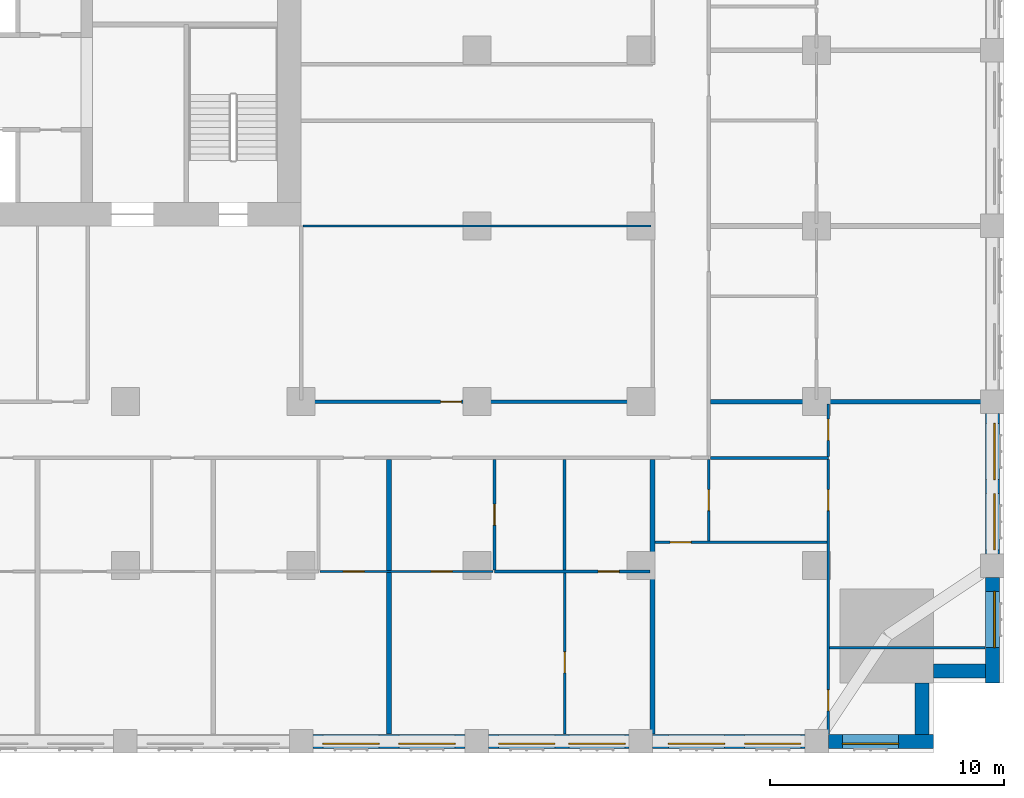
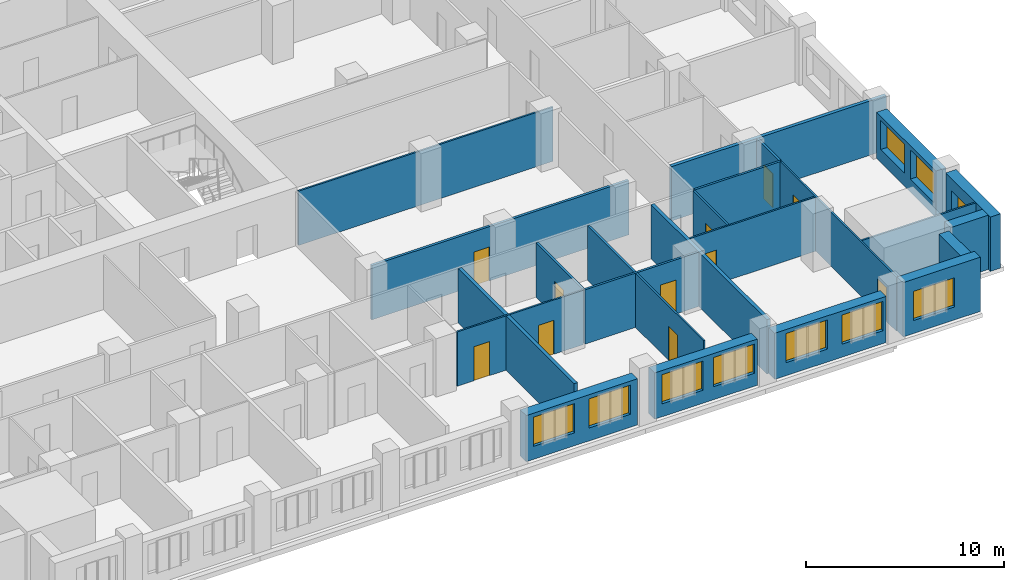
# One storey, part 6 of 14: 24 walls, 11 doors, 10 windows, 21 openings.
"""IFC4 building model written with IfcOpenShell, lengths in metres."""

from ifc_helpers import new_model, si_unit, direction, frame, frame_2d, origin, place, context, subcontext, project, spatial, rectangle, extrude, material, layer, layer_set, type_object, element, fill, save


model = new_model("IFC4")

# Units and contexts
model_context = context("Model", 3, precision=1e-05, world=origin(), true_north=direction((0.0, 1.0)))
body_context = subcontext(model_context, "Body", "Model", "MODEL_VIEW")
ifc_project = project(units=[si_unit("LENGTHUNIT", "METRE"), si_unit("AREAUNIT", "SQUARE_METRE"), si_unit("VOLUMEUNIT", "CUBIC_METRE"), si_unit("PLANEANGLEUNIT", "RADIAN"), si_unit("MASSUNIT", "GRAM", prefix="KILO")], contexts=[model_context])

# Site, building, storey
site_placement = place(None, origin())
site = spatial("IfcSite", under=ifc_project, at=site_placement, CompositionType="ELEMENT")
building_placement = place(site_placement, origin())
building = spatial("IfcBuilding", under=site, at=building_placement, Name="Tamorin Gate", CompositionType="ELEMENT")
storey_placement = place(building_placement, frame((0.0, 0.0, 37.60009765625)))
storey = spatial("IfcBuildingStorey", under=building, at=storey_placement, Name="L07", CompositionType="ELEMENT", Elevation=37.60009765625)

# Wall, openings, windows
ifc_material_1 = material(Name="Precast concrete C40/50", Category="concrete")
ifc_layer_1 = layer(ifc_material_1, 0.60009765625)
ifc_layer_set_1 = layer_set([ifc_layer_1], Name="Precast concrete C40/50")
wall_type_1 = type_object("IfcWallType", Name="Board-marked concrete facade panel 600", PredefinedType="SOLIDWALL", material=ifc_layer_set_1)
wall_1_placement = place(storey_placement, frame((60.5, 38.0, 0.0), z_axis=(0.0, 0.0, 1.0), x_axis=(1.0, 0.0, 0.0)))
wall_1 = element("IfcWall", 1, at=wall_1_placement, inside=storey, type_object=wall_type_1, Name="Facade panel", PredefinedType="SOLIDWALL", context=body_context, shape_type="SweptSolid", body=[
    extrude(rectangle(XDim=6.5, YDim=0.60009765625, at=frame_2d((3.25, 0.0))), origin(), (0.0, 0.0, 1.0), 2.849853515625),
])
opening_1_placement = place(wall_1_placement, frame((0.425048828125, 0.0, 0.800048828125)))
opening_1 = element("IfcOpeningElement", 2, at=opening_1_placement, cuts=wall_1, Name="Opening WN1", PredefinedType="OPENING", context=body_context, shape_type="SweptSolid", body=[
    extrude(rectangle(XDim=2.39990234375, YDim=1.800048828125, at=frame_2d((1.199951171875, 0.89990234375))), frame((0.0, 0.31005859375, 0.0), z_axis=(0.0, -1.0, 0.0), x_axis=(1.0, 0.0, 0.0)), (0.0, 0.0, 1.0), 0.6201171875),
])
opening_2_placement = place(wall_1_placement, frame((3.675048828125, 0.0, 0.800048828125)))
opening_2 = element("IfcOpeningElement", 3, at=opening_2_placement, cuts=wall_1, Name="Opening WN1", PredefinedType="OPENING", context=body_context, shape_type="SweptSolid", body=[
    extrude(rectangle(XDim=2.39990234375, YDim=1.800048828125, at=frame_2d((1.199951171875, 0.89990234375))), frame((0.0, 0.31005859375, 0.0), z_axis=(0.0, -1.0, 0.0), x_axis=(1.0, 0.0, 0.0)), (0.0, 0.0, 1.0), 0.6201171875),
])
ifc_material_2 = material(Name="Clear glass in aluminium frame", Category="aluminium")
window_type = type_object("IfcWindowType", Name="Deep-set window 2400x1800", PartitioningType="SINGLE_PANEL", PredefinedType="WINDOW", material=ifc_material_2)
window_1_placement = place(opening_1_placement, origin())
window_1 = element("IfcWindow", 4, at=window_1_placement, inside=storey, type_object=window_type, Name="Deep-set window", OverallHeight=1.800048828125, OverallWidth=2.39990234375, PartitioningType="SINGLE_PANEL", PredefinedType="WINDOW", context=body_context, shape_type="SweptSolid", body=[
    extrude(rectangle(XDim=2.39990234375, YDim=1.800048828125, at=frame_2d((1.199951171875, 0.89990234375))), frame((0.0, -0.070068359375, 0.0), z_axis=(0.0, -1.0, 0.0), x_axis=(1.0, 0.0, 0.0)), (0.0, 0.0, 1.0), 0.06005859375),
])
fill(opening_1, window_1)
window_2_placement = place(opening_2_placement, origin())
window_2 = element("IfcWindow", 5, at=window_2_placement, inside=storey, type_object=window_type, Name="Deep-set window", OverallHeight=1.800048828125, OverallWidth=2.39990234375, PartitioningType="SINGLE_PANEL", PredefinedType="WINDOW", context=body_context, shape_type="SweptSolid", body=[
    extrude(rectangle(XDim=2.39990234375, YDim=1.800048828125, at=frame_2d((1.199951171875, 0.89990234375))), frame((0.0, -0.070068359375, 0.0), z_axis=(0.0, -1.0, 0.0), x_axis=(1.0, 0.0, 0.0)), (0.0, 0.0, 1.0), 0.06005859375),
])
fill(opening_2, window_2)

wall_2_placement = place(storey_placement, frame((68.0, 38.0, 0.0), z_axis=(0.0, 0.0, 1.0), x_axis=(1.0, 0.0, 0.0)))
wall_2 = element("IfcWall", 6, at=wall_2_placement, inside=storey, type_object=wall_type_1, Name="Facade panel", PredefinedType="SOLIDWALL", context=body_context, shape_type="SweptSolid", body=[
    extrude(rectangle(XDim=6.0, YDim=0.60009765625, at=frame_2d((3.0, 0.0))), origin(), (0.0, 0.0, 1.0), 2.849853515625),
])
opening_3_placement = place(wall_2_placement, frame((0.425048828125, 0.0, 0.800048828125)))
opening_3 = element("IfcOpeningElement", 7, at=opening_3_placement, cuts=wall_2, Name="Opening WN1", PredefinedType="OPENING", context=body_context, shape_type="SweptSolid", body=[
    extrude(rectangle(XDim=2.39990234375, YDim=1.800048828125, at=frame_2d((1.199951171875, 0.89990234375))), frame((0.0, 0.31005859375, 0.0), z_axis=(0.0, -1.0, 0.0), x_axis=(1.0, 0.0, 0.0)), (0.0, 0.0, 1.0), 0.6201171875),
])
opening_4_placement = place(wall_2_placement, frame((3.425048828125, 0.0, 0.800048828125)))
opening_4 = element("IfcOpeningElement", 8, at=opening_4_placement, cuts=wall_2, Name="Opening WN1", PredefinedType="OPENING", context=body_context, shape_type="SweptSolid", body=[
    extrude(rectangle(XDim=2.39990234375, YDim=1.800048828125, at=frame_2d((1.199951171875, 0.89990234375))), frame((0.0, 0.31005859375, 0.0), z_axis=(0.0, -1.0, 0.0), x_axis=(1.0, 0.0, 0.0)), (0.0, 0.0, 1.0), 0.6201171875),
])
window_3_placement = place(opening_3_placement, origin())
window_3 = element("IfcWindow", 9, at=window_3_placement, inside=storey, type_object=window_type, Name="Deep-set window", OverallHeight=1.800048828125, OverallWidth=2.39990234375, PartitioningType="SINGLE_PANEL", PredefinedType="WINDOW", context=body_context, shape_type="SweptSolid", body=[
    extrude(rectangle(XDim=2.39990234375, YDim=1.800048828125, at=frame_2d((1.199951171875, 0.89990234375))), frame((0.0, -0.070068359375, 0.0), z_axis=(0.0, -1.0, 0.0), x_axis=(1.0, 0.0, 0.0)), (0.0, 0.0, 1.0), 0.06005859375),
])
fill(opening_3, window_3)
window_4_placement = place(opening_4_placement, origin())
window_4 = element("IfcWindow", 10, at=window_4_placement, inside=storey, type_object=window_type, Name="Deep-set window", OverallHeight=1.800048828125, OverallWidth=2.39990234375, PartitioningType="SINGLE_PANEL", PredefinedType="WINDOW", context=body_context, shape_type="SweptSolid", body=[
    extrude(rectangle(XDim=2.39990234375, YDim=1.800048828125, at=frame_2d((1.199951171875, 0.89990234375))), frame((0.0, -0.070068359375, 0.0), z_axis=(0.0, -1.0, 0.0), x_axis=(1.0, 0.0, 0.0)), (0.0, 0.0, 1.0), 0.06005859375),
])
fill(opening_4, window_4)

wall_3_placement = place(storey_placement, frame((75.0, 38.0, 0.0), z_axis=(0.0, 0.0, 1.0), x_axis=(1.0, 0.0, 0.0)))
wall_3 = element("IfcWall", 11, at=wall_3_placement, inside=storey, type_object=wall_type_1, Name="Facade panel", PredefinedType="SOLIDWALL", context=body_context, shape_type="SweptSolid", body=[
    extrude(rectangle(XDim=6.5, YDim=0.60009765625, at=frame_2d((3.25, 0.0))), origin(), (0.0, 0.0, 1.0), 2.849853515625),
])
opening_5_placement = place(wall_3_placement, frame((0.675048828125, 0.0, 0.800048828125)))
opening_5 = element("IfcOpeningElement", 12, at=opening_5_placement, cuts=wall_3, Name="Opening WN1", PredefinedType="OPENING", context=body_context, shape_type="SweptSolid", body=[
    extrude(rectangle(XDim=2.39990234375, YDim=1.800048828125, at=frame_2d((1.199951171875, 0.89990234375))), frame((0.0, 0.31005859375, 0.0), z_axis=(0.0, -1.0, 0.0), x_axis=(1.0, 0.0, 0.0)), (0.0, 0.0, 1.0), 0.6201171875),
])
opening_6_placement = place(wall_3_placement, frame((3.925048828125, 0.0, 0.800048828125)))
opening_6 = element("IfcOpeningElement", 13, at=opening_6_placement, cuts=wall_3, Name="Opening WN1", PredefinedType="OPENING", context=body_context, shape_type="SweptSolid", body=[
    extrude(rectangle(XDim=2.39990234375, YDim=1.800048828125, at=frame_2d((1.199951171875, 0.89990234375))), frame((0.0, 0.31005859375, 0.0), z_axis=(0.0, -1.0, 0.0), x_axis=(1.0, 0.0, 0.0)), (0.0, 0.0, 1.0), 0.6201171875),
])
window_5_placement = place(opening_5_placement, origin())
window_5 = element("IfcWindow", 14, at=window_5_placement, inside=storey, type_object=window_type, Name="Deep-set window", OverallHeight=1.800048828125, OverallWidth=2.39990234375, PartitioningType="SINGLE_PANEL", PredefinedType="WINDOW", context=body_context, shape_type="SweptSolid", body=[
    extrude(rectangle(XDim=2.39990234375, YDim=1.800048828125, at=frame_2d((1.199951171875, 0.89990234375))), frame((0.0, -0.070068359375, 0.0), z_axis=(0.0, -1.0, 0.0), x_axis=(1.0, 0.0, 0.0)), (0.0, 0.0, 1.0), 0.06005859375),
])
fill(opening_5, window_5)
window_6_placement = place(opening_6_placement, origin())
window_6 = element("IfcWindow", 15, at=window_6_placement, inside=storey, type_object=window_type, Name="Deep-set window", OverallHeight=1.800048828125, OverallWidth=2.39990234375, PartitioningType="SINGLE_PANEL", PredefinedType="WINDOW", context=body_context, shape_type="SweptSolid", body=[
    extrude(rectangle(XDim=2.39990234375, YDim=1.800048828125, at=frame_2d((1.199951171875, 0.89990234375))), frame((0.0, -0.070068359375, 0.0), z_axis=(0.0, -1.0, 0.0), x_axis=(1.0, 0.0, 0.0)), (0.0, 0.0, 1.0), 0.06005859375),
])
fill(opening_6, window_6)

# Wall, opening, window
wall_4_placement = place(storey_placement, frame((82.5, 38.0, 0.0), z_axis=(0.0, 0.0, 1.0), x_axis=(1.0, 0.0, 0.0)))
wall_4 = element("IfcWall", 16, at=wall_4_placement, inside=storey, type_object=wall_type_1, Name="Facade panel", PredefinedType="SOLIDWALL", context=body_context, shape_type="SweptSolid", body=[
    extrude(rectangle(XDim=4.5, YDim=0.60009765625, at=frame_2d((2.25, 0.0))), origin(), (0.0, 0.0, 1.0), 3.349853515625),
])
opening_7_placement = place(wall_4_placement, frame((0.60009765625, 0.0, 0.800048828125)))
opening_7 = element("IfcOpeningElement", 17, at=opening_7_placement, cuts=wall_4, Name="Opening WN1", PredefinedType="OPENING", context=body_context, shape_type="SweptSolid", body=[
    extrude(rectangle(XDim=2.39990234375, YDim=1.800048828125, at=frame_2d((1.199951171875, 0.89990234375))), frame((0.0, 0.31005859375, 0.0), z_axis=(0.0, -1.0, 0.0), x_axis=(1.0, 0.0, 0.0)), (0.0, 0.0, 1.0), 0.6201171875),
])
window_7_placement = place(opening_7_placement, origin())
window_7 = element("IfcWindow", 18, at=window_7_placement, inside=storey, type_object=window_type, Name="Deep-set window", OverallHeight=1.800048828125, OverallWidth=2.39990234375, PartitioningType="SINGLE_PANEL", PredefinedType="WINDOW", context=body_context, shape_type="SweptSolid", body=[
    extrude(rectangle(XDim=2.39990234375, YDim=1.800048828125, at=frame_2d((1.199951171875, 0.89990234375))), frame((0.0, -0.070068359375, 0.0), z_axis=(0.0, -1.0, 0.0), x_axis=(1.0, 0.0, 0.0)), (0.0, 0.0, 1.0), 0.06005859375),
])
fill(opening_7, window_7)

# Walls
for number, where, z_axis, x_axis, name in (
    (19, (86.5, 38.300048828125, 0.0), (0.0, 0.0, 1.0), (0.0, 1.0, 0.0), "Facade panel"),
    (20, (87.0, 41.0, 0.0), (0.0, 0.0, 1.0), (1.0, 0.0, 0.0), "Facade panel"),
):
    element("IfcWall", number, at=place(storey_placement, frame(where, z_axis=z_axis, x_axis=x_axis)), inside=storey, type_object=wall_type_1, Name=name, PredefinedType="SOLIDWALL", context=body_context, shape_type="SweptSolid", body=[
        extrude(rectangle(XDim=2.199951171875, YDim=0.60009765625, at=frame_2d((1.10009765625, 0.0))), origin(), (0.0, 0.0, 1.0), 3.349853515625),
    ])

# Wall, opening, window
wall_5_placement = place(storey_placement, frame((89.5, 40.5, 0.0), z_axis=(0.0, 0.0, 1.0), x_axis=(0.0, 1.0, 0.0)))
wall_5 = element("IfcWall", 21, at=wall_5_placement, inside=storey, type_object=wall_type_1, Name="Facade panel", PredefinedType="SOLIDWALL", context=body_context, shape_type="SweptSolid", body=[
    extrude(rectangle(XDim=4.5, YDim=0.60009765625, at=frame_2d((2.25, 0.0))), origin(), (0.0, 0.0, 1.0), 3.349853515625),
])
opening_8_placement = place(wall_5_placement, frame((1.5, 0.0, 0.800048828125)))
opening_8 = element("IfcOpeningElement", 22, at=opening_8_placement, cuts=wall_5, Name="Opening WN1", PredefinedType="OPENING", context=body_context, shape_type="SweptSolid", body=[
    extrude(rectangle(XDim=2.39990234375, YDim=1.800048828125, at=frame_2d((1.199951171875, 0.89990234375))), frame((0.0, 0.31005859375, 0.0), z_axis=(0.0, -1.0, 0.0), x_axis=(1.0, 0.0, 0.0)), (0.0, 0.0, 1.0), 0.6201171875),
])
window_8_placement = place(opening_8_placement, origin())
window_8 = element("IfcWindow", 23, at=window_8_placement, inside=storey, type_object=window_type, Name="Deep-set window", OverallHeight=1.800048828125, OverallWidth=2.39990234375, PartitioningType="SINGLE_PANEL", PredefinedType="WINDOW", context=body_context, shape_type="SweptSolid", body=[
    extrude(rectangle(XDim=2.39990234375, YDim=1.800048828125, at=frame_2d((1.199951171875, 0.89990234375))), frame((0.0, -0.070068359375, 0.0), z_axis=(0.0, -1.0, 0.0), x_axis=(1.0, 0.0, 0.0)), (0.0, 0.0, 1.0), 0.06005859375),
])
fill(opening_8, window_8)

# Wall, openings, windows
wall_6_placement = place(storey_placement, frame((89.5, 46.0, 0.0), z_axis=(0.0, 0.0, 1.0), x_axis=(0.0, 1.0, 0.0)))
wall_6 = element("IfcWall", 24, at=wall_6_placement, inside=storey, type_object=wall_type_1, Name="Facade panel", PredefinedType="SOLIDWALL", context=body_context, shape_type="SweptSolid", body=[
    extrude(rectangle(XDim=6.0, YDim=0.60009765625, at=frame_2d((3.0, 0.0))), origin(), (0.0, 0.0, 1.0), 2.849853515625),
])
opening_9_placement = place(wall_6_placement, frame((0.175048828125, 0.0, 0.800048828125)))
opening_9 = element("IfcOpeningElement", 25, at=opening_9_placement, cuts=wall_6, Name="Opening WN1", PredefinedType="OPENING", context=body_context, shape_type="SweptSolid", body=[
    extrude(rectangle(XDim=2.39990234375, YDim=1.800048828125, at=frame_2d((1.199951171875, 0.89990234375))), frame((0.0, 0.31005859375, 0.0), z_axis=(0.0, -1.0, 0.0), x_axis=(1.0, 0.0, 0.0)), (0.0, 0.0, 1.0), 0.6201171875),
])
opening_10_placement = place(wall_6_placement, frame((3.175048828125, 0.0, 0.800048828125)))
opening_10 = element("IfcOpeningElement", 26, at=opening_10_placement, cuts=wall_6, Name="Opening WN1", PredefinedType="OPENING", context=body_context, shape_type="SweptSolid", body=[
    extrude(rectangle(XDim=2.39990234375, YDim=1.800048828125, at=frame_2d((1.199951171875, 0.89990234375))), frame((0.0, 0.31005859375, 0.0), z_axis=(0.0, -1.0, 0.0), x_axis=(1.0, 0.0, 0.0)), (0.0, 0.0, 1.0), 0.6201171875),
])
window_9_placement = place(opening_9_placement, origin())
window_9 = element("IfcWindow", 27, at=window_9_placement, inside=storey, type_object=window_type, Name="Deep-set window", OverallHeight=1.800048828125, OverallWidth=2.39990234375, PartitioningType="SINGLE_PANEL", PredefinedType="WINDOW", context=body_context, shape_type="SweptSolid", body=[
    extrude(rectangle(XDim=2.39990234375, YDim=1.800048828125, at=frame_2d((1.199951171875, 0.89990234375))), frame((0.0, -0.070068359375, 0.0), z_axis=(0.0, -1.0, 0.0), x_axis=(1.0, 0.0, 0.0)), (0.0, 0.0, 1.0), 0.06005859375),
])
fill(opening_9, window_9)
window_10_placement = place(opening_10_placement, origin())
window_10 = element("IfcWindow", 28, at=window_10_placement, inside=storey, type_object=window_type, Name="Deep-set window", OverallHeight=1.800048828125, OverallWidth=2.39990234375, PartitioningType="SINGLE_PANEL", PredefinedType="WINDOW", context=body_context, shape_type="SweptSolid", body=[
    extrude(rectangle(XDim=2.39990234375, YDim=1.800048828125, at=frame_2d((1.199951171875, 0.89990234375))), frame((0.0, -0.070068359375, 0.0), z_axis=(0.0, -1.0, 0.0), x_axis=(1.0, 0.0, 0.0)), (0.0, 0.0, 1.0), 0.06005859375),
])
fill(opening_10, window_10)

# Wall, opening, door
ifc_material_3 = material(Name="Gypsum board partition")
ifc_layer_2 = layer(ifc_material_3, 0.14990234375)
ifc_layer_set_2 = layer_set([ifc_layer_2], Name="Corridor wall 150")
wall_type_2 = type_object("IfcWallType", Name="Corridor wall 150", PredefinedType="PARTITIONING", material=ifc_layer_set_2)
wall_7_placement = place(storey_placement, frame((60.0, 52.5, 0.0), z_axis=(0.0, 0.0, 1.0), x_axis=(1.0, 0.0, 0.0)))
wall_7 = element("IfcWall", 29, at=wall_7_placement, inside=storey, type_object=wall_type_2, Name="Corridor wall 150", PredefinedType="PARTITIONING", context=body_context, shape_type="SweptSolid", body=[
    extrude(rectangle(XDim=15.0, YDim=0.14990234375, at=frame_2d((7.5, 0.0))), origin(), (0.0, 0.0, 1.0), 3.349853515625),
])
opening_11_placement = place(wall_7_placement, frame((5.949951171875, 0.0, 0.0)))
opening_11 = element("IfcOpeningElement", 30, at=opening_11_placement, cuts=wall_7, Name="Opening DH2069", PredefinedType="OPENING", context=body_context, shape_type="SweptSolid", body=[
    extrude(rectangle(XDim=0.89990234375, YDim=2.10009765625, at=frame_2d((0.449951171875, 1.050048828125))), frame((0.0, 0.0849609375, 0.0), z_axis=(0.0, -1.0, 0.0), x_axis=(1.0, 0.0, 0.0)), (0.0, 0.0, 1.0), 0.169921875),
])
ifc_material_4 = material(Name="Timber door leaf", Category="wood")
door_type_1 = type_object("IfcDoorType", Name="Door 900 x 2100 FD30S", OperationType="NOTDEFINED", PredefinedType="DOOR", material=ifc_material_4)
door_1_placement = place(opening_11_placement, origin())
door_1 = element("IfcDoor", 31, at=door_1_placement, inside=storey, type_object=door_type_1, Name="Door DH2069", OperationType="SINGLE_SWING_LEFT", OverallHeight=2.10009765625, OverallWidth=0.89990234375, PredefinedType="DOOR", context=body_context, shape_type="SweptSolid", body=[
    extrude(rectangle(XDim=0.89990234375, YDim=2.10009765625, at=frame_2d((0.449951171875, 1.050048828125))), frame((0.0, 0.02490234375, 0.0), z_axis=(0.0, -1.0, 0.0), x_axis=(1.0, 0.0, 0.0)), (0.0, 0.0, 1.0), 0.050048828125),
])
fill(opening_11, door_1)

# Walls
ifc_layer_3 = layer(ifc_material_3, 0.199951171875)
ifc_layer_set_3 = layer_set([ifc_layer_3], Name="Demising wall 200")
wall_type_3 = type_object("IfcWallType", Name="Demising wall 200", PredefinedType="PARTITIONING", material=ifc_layer_set_3)
wall_8_placement = place(storey_placement, frame((77.47509765625, 52.5, 0.0), z_axis=(0.0, 0.0, 1.0), x_axis=(1.0, 0.0, 0.0)))
element("IfcWall", 32, at=wall_8_placement, inside=storey, type_object=wall_type_3, Name="Demising wall 200", PredefinedType="PARTITIONING", context=body_context, shape_type="SweptSolid", body=[
    extrude(rectangle(XDim=12.52490234375, YDim=0.199951171875, at=frame_2d((6.262451171875, 0.0))), origin(), (0.0, 0.0, 1.0), 3.349853515625),
])
for number, where, z_axis, x_axis, name in (
    (33, (63.75, 38.31005859375, 0.0), (0.0, 0.0, 1.0), (0.0, 1.0, 0.0), "Demising wall 200"),
    (34, (75.0, 38.31005859375, 0.0), (0.0, 0.0, 1.0), (0.0, 1.0, 0.0), "Demising wall 200"),
):
    element("IfcWall", number, at=place(storey_placement, frame(where, z_axis=z_axis, x_axis=x_axis)), inside=storey, type_object=wall_type_3, Name=name, PredefinedType="PARTITIONING", context=body_context, shape_type="SweptSolid", body=[
        extrude(rectangle(XDim=11.71484375, YDim=0.199951171875, at=frame_2d((5.857421875, 0.0))), origin(), (0.0, 0.0, 1.0), 3.349853515625),
    ])
ifc_layer_4 = layer(ifc_material_3, 0.10009765625)
ifc_layer_set_4 = layer_set([ifc_layer_4], Name="Room partition 100")
wall_type_4 = type_object("IfcWallType", Name="Room partition 100", PredefinedType="PARTITIONING", material=ifc_layer_set_4)
wall_9_placement = place(storey_placement, frame((82.550048828125, 42.0, 0.0), z_axis=(0.0, 0.0, 1.0), x_axis=(1.0, 0.0, 0.0)))
element("IfcWall", 35, at=wall_9_placement, inside=storey, type_object=wall_type_4, Name="Room partition 100", PredefinedType="PARTITIONING", context=body_context, shape_type="SweptSolid", body=[
    extrude(rectangle(XDim=6.639892578125, YDim=0.10009765625, at=frame_2d((3.31982421875, 0.0))), origin(), (0.0, 0.0, 1.0), 3.349853515625),
])

# Wall, openings, doors
wall_10_placement = place(storey_placement, frame((60.8125, 45.25, 0.0), z_axis=(0.0, 0.0, 1.0), x_axis=(1.0, 0.0, 0.0)))
wall_10 = element("IfcWall", 36, at=wall_10_placement, inside=storey, type_object=wall_type_4, Name="Room partition 100", PredefinedType="PARTITIONING", context=body_context, shape_type="SweptSolid", body=[
    extrude(rectangle(XDim=7.375, YDim=0.10009765625, at=frame_2d((3.6875, 0.0))), origin(), (0.0, 0.0, 1.0), 3.349853515625),
])
opening_12_placement = place(wall_10_placement, frame((0.987548828125, 0.0, 0.0)))
opening_12 = element("IfcOpeningElement", 37, at=opening_12_placement, cuts=wall_10, Name="Opening DH2013", PredefinedType="OPENING", context=body_context, shape_type="SweptSolid", body=[
    extrude(rectangle(XDim=0.89990234375, YDim=2.10009765625, at=frame_2d((0.449951171875, 1.050048828125))), frame((0.0, 0.06005859375, 0.0), z_axis=(0.0, -1.0, 0.0), x_axis=(1.0, 0.0, 0.0)), (0.0, 0.0, 1.0), 0.1201171875),
])
opening_13_placement = place(wall_10_placement, frame((4.737548828125, 0.0, 0.0)))
opening_13 = element("IfcOpeningElement", 38, at=opening_13_placement, cuts=wall_10, Name="Opening DH2015", PredefinedType="OPENING", context=body_context, shape_type="SweptSolid", body=[
    extrude(rectangle(XDim=0.89990234375, YDim=2.10009765625, at=frame_2d((0.449951171875, 1.050048828125))), frame((0.0, 0.06005859375, 0.0), z_axis=(0.0, -1.0, 0.0), x_axis=(1.0, 0.0, 0.0)), (0.0, 0.0, 1.0), 0.1201171875),
])
door_type_2 = type_object("IfcDoorType", Name="Door 900 x 2100", OperationType="NOTDEFINED", PredefinedType="DOOR", material=ifc_material_4)
door_2_placement = place(opening_12_placement, origin())
door_2 = element("IfcDoor", 39, at=door_2_placement, inside=storey, type_object=door_type_2, Name="Door DH2013", OperationType="SINGLE_SWING_LEFT", OverallHeight=2.10009765625, OverallWidth=0.89990234375, PredefinedType="DOOR", context=body_context, shape_type="SweptSolid", body=[
    extrude(rectangle(XDim=0.89990234375, YDim=2.10009765625, at=frame_2d((0.449951171875, 1.050048828125))), frame((0.0, 0.02490234375, 0.0), z_axis=(0.0, -1.0, 0.0), x_axis=(1.0, 0.0, 0.0)), (0.0, 0.0, 1.0), 0.050048828125),
])
fill(opening_12, door_2)
door_3_placement = place(opening_13_placement, origin())
door_3 = element("IfcDoor", 40, at=door_3_placement, inside=storey, type_object=door_type_2, Name="Door DH2015", OperationType="SINGLE_SWING_LEFT", OverallHeight=2.10009765625, OverallWidth=0.89990234375, PredefinedType="DOOR", context=body_context, shape_type="SweptSolid", body=[
    extrude(rectangle(XDim=0.89990234375, YDim=2.10009765625, at=frame_2d((0.449951171875, 1.050048828125))), frame((0.0, 0.02490234375, 0.0), z_axis=(0.0, -1.0, 0.0), x_axis=(1.0, 0.0, 0.0)), (0.0, 0.0, 1.0), 0.050048828125),
])
fill(opening_13, door_3)

# Wall, opening, door
wall_11_placement = place(storey_placement, frame((75.10009765625, 46.5, 0.0), z_axis=(0.0, 0.0, 1.0), x_axis=(1.0, 0.0, 0.0)))
wall_11 = element("IfcWall", 41, at=wall_11_placement, inside=storey, type_object=wall_type_4, Name="Room partition 100", PredefinedType="PARTITIONING", context=body_context, shape_type="SweptSolid", body=[
    extrude(rectangle(XDim=7.349853515625, YDim=0.10009765625, at=frame_2d((3.6748046875, 0.0))), origin(), (0.0, 0.0, 1.0), 3.349853515625),
])
opening_14_placement = place(wall_11_placement, frame((0.64990234375, 0.0, 0.0)))
opening_14 = element("IfcOpeningElement", 42, at=opening_14_placement, cuts=wall_11, Name="Opening DH2056", PredefinedType="OPENING", context=body_context, shape_type="SweptSolid", body=[
    extrude(rectangle(XDim=0.89990234375, YDim=2.10009765625, at=frame_2d((0.449951171875, 1.050048828125))), frame((0.0, 0.06005859375, 0.0), z_axis=(0.0, -1.0, 0.0), x_axis=(1.0, 0.0, 0.0)), (0.0, 0.0, 1.0), 0.1201171875),
])
door_4_placement = place(opening_14_placement, origin())
door_4 = element("IfcDoor", 43, at=door_4_placement, inside=storey, type_object=door_type_2, Name="Door DH2056", OperationType="SINGLE_SWING_RIGHT", OverallHeight=2.10009765625, OverallWidth=0.89990234375, PredefinedType="DOOR", context=body_context, shape_type="SweptSolid", body=[
    extrude(rectangle(XDim=0.89990234375, YDim=2.10009765625, at=frame_2d((0.449951171875, 1.050048828125))), frame((0.0, 0.02490234375, 0.0), z_axis=(0.0, -1.0, 0.0), x_axis=(1.0, 0.0, 0.0)), (0.0, 0.0, 1.0), 0.050048828125),
])
fill(opening_14, door_4)

# Wall
wall_12_placement = place(storey_placement, frame((60.074951171875, 60.0, 0.0), z_axis=(0.0, 0.0, 1.0), x_axis=(1.0, 0.0, 0.0)))
element("IfcWall", 44, at=wall_12_placement, inside=storey, type_object=wall_type_4, Name="Room partition 100", PredefinedType="PARTITIONING", context=body_context, shape_type="SweptSolid", body=[
    extrude(rectangle(XDim=14.85009765625, YDim=0.10009765625, at=frame_2d((7.425048828125, 0.0))), origin(), (0.0, 0.0, 1.0), 3.349853515625),
])

# Wall, opening, door
wall_13_placement = place(storey_placement, frame((71.25, 38.31005859375, 0.0), z_axis=(0.0, 0.0, 1.0), x_axis=(0.0, 1.0, 0.0)))
wall_13 = element("IfcWall", 45, at=wall_13_placement, inside=storey, type_object=wall_type_4, Name="Room partition 100", PredefinedType="PARTITIONING", context=body_context, shape_type="SweptSolid", body=[
    extrude(rectangle(XDim=6.87744140625, YDim=0.10009765625, at=frame_2d((3.438720703125, 0.0))), origin(), (0.0, 0.0, 1.0), 3.349853515625),
])
opening_15_placement = place(wall_13_placement, frame((2.614990234375, 0.0, 0.0)))
opening_15 = element("IfcOpeningElement", 46, at=opening_15_placement, cuts=wall_13, Name="Opening DH2018", PredefinedType="OPENING", context=body_context, shape_type="SweptSolid", body=[
    extrude(rectangle(XDim=0.89990234375, YDim=2.10009765625, at=frame_2d((0.449951171875, 1.050048828125))), frame((0.0, 0.06005859375, 0.0), z_axis=(0.0, -1.0, 0.0), x_axis=(1.0, 0.0, 0.0)), (0.0, 0.0, 1.0), 0.1201171875),
])
door_5_placement = place(opening_15_placement, origin())
door_5 = element("IfcDoor", 47, at=door_5_placement, inside=storey, type_object=door_type_2, Name="Door DH2018", OperationType="SINGLE_SWING_LEFT", OverallHeight=2.10009765625, OverallWidth=0.89990234375, PredefinedType="DOOR", context=body_context, shape_type="SweptSolid", body=[
    extrude(rectangle(XDim=0.89990234375, YDim=2.10009765625, at=frame_2d((0.449951171875, 1.050048828125))), frame((0.0, 0.02490234375, 0.0), z_axis=(0.0, -1.0, 0.0), x_axis=(1.0, 0.0, 0.0)), (0.0, 0.0, 1.0), 0.050048828125),
])
fill(opening_15, door_5)

wall_14_placement = place(storey_placement, frame((77.39990234375, 46.550048828125, 0.0), z_axis=(0.0, 0.0, 1.0), x_axis=(0.0, 1.0, 0.0)))
wall_14 = element("IfcWall", 48, at=wall_14_placement, inside=storey, type_object=wall_type_4, Name="Room partition 100", PredefinedType="PARTITIONING", context=body_context, shape_type="SweptSolid", body=[
    extrude(rectangle(XDim=3.474853515625, YDim=0.10009765625, at=frame_2d((1.7373046875, 0.0))), origin(), (0.0, 0.0, 1.0), 3.349853515625),
])
opening_16_placement = place(wall_14_placement, frame((1.300048828125, 0.0, 0.0)))
opening_16 = element("IfcOpeningElement", 49, at=opening_16_placement, cuts=wall_14, Name="Opening DH2057", PredefinedType="OPENING", context=body_context, shape_type="SweptSolid", body=[
    extrude(rectangle(XDim=0.89990234375, YDim=2.10009765625, at=frame_2d((0.449951171875, 1.050048828125))), frame((0.0, 0.06005859375, 0.0), z_axis=(0.0, -1.0, 0.0), x_axis=(1.0, 0.0, 0.0)), (0.0, 0.0, 1.0), 0.1201171875),
])
door_6_placement = place(opening_16_placement, origin())
door_6 = element("IfcDoor", 50, at=door_6_placement, inside=storey, type_object=door_type_2, Name="Door DH2057", OperationType="SINGLE_SWING_RIGHT", OverallHeight=2.10009765625, OverallWidth=0.89990234375, PredefinedType="DOOR", context=body_context, shape_type="SweptSolid", body=[
    extrude(rectangle(XDim=0.89990234375, YDim=2.10009765625, at=frame_2d((0.449951171875, 1.050048828125))), frame((0.0, 0.02490234375, 0.0), z_axis=(0.0, -1.0, 0.0), x_axis=(1.0, 0.0, 0.0)), (0.0, 0.0, 1.0), 0.050048828125),
])
fill(opening_16, door_6)

# Wall, openings, doors
wall_15_placement = place(storey_placement, frame((82.5, 38.31005859375, 0.0), z_axis=(0.0, 0.0, 1.0), x_axis=(0.0, 1.0, 0.0)))
wall_15 = element("IfcWall", 51, at=wall_15_placement, inside=storey, type_object=wall_type_4, Name="Room partition 100", PredefinedType="PARTITIONING", context=body_context, shape_type="SweptSolid", body=[
    extrude(rectangle(XDim=11.7275390625, YDim=0.10009765625, at=frame_2d((5.86376953125, 0.0))), origin(), (0.0, 0.0, 1.0), 3.349853515625),
])
opening_17_placement = place(wall_15_placement, frame((0.989990234375, 0.0, 0.0)))
opening_17 = element("IfcOpeningElement", 52, at=opening_17_placement, cuts=wall_15, Name="Opening DH2058", PredefinedType="OPENING", context=body_context, shape_type="SweptSolid", body=[
    extrude(rectangle(XDim=0.89990234375, YDim=2.10009765625, at=frame_2d((0.449951171875, 1.050048828125))), frame((0.0, 0.06005859375, 0.0), z_axis=(0.0, -1.0, 0.0), x_axis=(1.0, 0.0, 0.0)), (0.0, 0.0, 1.0), 0.1201171875),
])
opening_18_placement = place(wall_15_placement, frame((9.5400390625, 0.0, 0.0)))
opening_18 = element("IfcOpeningElement", 53, at=opening_18_placement, cuts=wall_15, Name="Opening DH2059", PredefinedType="OPENING", context=body_context, shape_type="SweptSolid", body=[
    extrude(rectangle(XDim=0.89990234375, YDim=2.10009765625, at=frame_2d((0.449951171875, 1.050048828125))), frame((0.0, 0.06005859375, 0.0), z_axis=(0.0, -1.0, 0.0), x_axis=(1.0, 0.0, 0.0)), (0.0, 0.0, 1.0), 0.1201171875),
])
door_7_placement = place(opening_17_placement, origin())
door_7 = element("IfcDoor", 54, at=door_7_placement, inside=storey, type_object=door_type_2, Name="Door DH2058", OperationType="SINGLE_SWING_LEFT", OverallHeight=2.10009765625, OverallWidth=0.89990234375, PredefinedType="DOOR", context=body_context, shape_type="SweptSolid", body=[
    extrude(rectangle(XDim=0.89990234375, YDim=2.10009765625, at=frame_2d((0.449951171875, 1.050048828125))), frame((0.0, 0.02490234375, 0.0), z_axis=(0.0, -1.0, 0.0), x_axis=(1.0, 0.0, 0.0)), (0.0, 0.0, 1.0), 0.050048828125),
])
fill(opening_17, door_7)
door_8_placement = place(opening_18_placement, origin())
door_8 = element("IfcDoor", 55, at=door_8_placement, inside=storey, type_object=door_type_2, Name="Door DH2059", OperationType="SINGLE_SWING_RIGHT", OverallHeight=2.10009765625, OverallWidth=0.89990234375, PredefinedType="DOOR", context=body_context, shape_type="SweptSolid", body=[
    extrude(rectangle(XDim=0.89990234375, YDim=2.10009765625, at=frame_2d((0.449951171875, 1.050048828125))), frame((0.0, 0.02490234375, 0.0), z_axis=(0.0, -1.0, 0.0), x_axis=(1.0, 0.0, 0.0)), (0.0, 0.0, 1.0), 0.050048828125),
])
fill(opening_18, door_8)

# Wall, opening, door
ifc_layer_5 = layer(ifc_material_3, 0.125)
ifc_layer_set_5 = layer_set([ifc_layer_5], Name="Wet wall 125")
wall_type_5 = type_object("IfcWallType", Name="Wet wall 125", PredefinedType="PARTITIONING", material=ifc_layer_set_5)
wall_16_placement = place(storey_placement, frame((68.25, 45.25, 0.0), z_axis=(0.0, 0.0, 1.0), x_axis=(1.0, 0.0, 0.0)))
wall_16 = element("IfcWall", 56, at=wall_16_placement, inside=storey, type_object=wall_type_5, Name="Wet wall 125", PredefinedType="PARTITIONING", context=body_context, shape_type="SweptSolid", body=[
    extrude(rectangle(XDim=6.64990234375, YDim=0.125, at=frame_2d((3.324951171875, 0.0))), origin(), (0.0, 0.0, 1.0), 3.349853515625),
])
opening_19_placement = place(wall_16_placement, frame((4.425048828125, 0.0, 0.0)))
opening_19 = element("IfcOpeningElement", 57, at=opening_19_placement, cuts=wall_16, Name="Opening DH2017", PredefinedType="OPENING", context=body_context, shape_type="SweptSolid", body=[
    extrude(rectangle(XDim=0.89990234375, YDim=2.10009765625, at=frame_2d((0.449951171875, 1.050048828125))), frame((0.0, 0.072509765625, 0.0), z_axis=(0.0, -1.0, 0.0), x_axis=(1.0, 0.0, 0.0)), (0.0, 0.0, 1.0), 0.14501953125),
])
door_9_placement = place(opening_19_placement, origin())
door_9 = element("IfcDoor", 58, at=door_9_placement, inside=storey, type_object=door_type_2, Name="Door DH2017", OperationType="SINGLE_SWING_LEFT", OverallHeight=2.10009765625, OverallWidth=0.89990234375, PredefinedType="DOOR", context=body_context, shape_type="SweptSolid", body=[
    extrude(rectangle(XDim=0.89990234375, YDim=2.10009765625, at=frame_2d((0.449951171875, 1.050048828125))), frame((0.0, 0.02490234375, 0.0), z_axis=(0.0, -1.0, 0.0), x_axis=(1.0, 0.0, 0.0)), (0.0, 0.0, 1.0), 0.050048828125),
])
fill(opening_19, door_9)

# Wall
wall_17_placement = place(storey_placement, frame((77.47509765625, 50.10009765625, 0.0), z_axis=(0.0, 0.0, 1.0), x_axis=(1.0, 0.0, 0.0)))
element("IfcWall", 59, at=wall_17_placement, inside=storey, type_object=wall_type_5, Name="Wet wall 125", PredefinedType="PARTITIONING", context=body_context, shape_type="SweptSolid", body=[
    extrude(rectangle(XDim=5.02490234375, YDim=0.125, at=frame_2d((2.512451171875, 0.0))), origin(), (0.0, 0.0, 1.0), 3.349853515625),
])

# Wall, opening, door
wall_18_placement = place(storey_placement, frame((68.25, 45.3125, 0.0), z_axis=(0.0, 0.0, 1.0), x_axis=(0.0, 1.0, 0.0)))
wall_18 = element("IfcWall", 60, at=wall_18_placement, inside=storey, type_object=wall_type_5, Name="Wet wall 125", PredefinedType="PARTITIONING", context=body_context, shape_type="SweptSolid", body=[
    extrude(rectangle(XDim=4.71240234375, YDim=0.125, at=frame_2d((2.356201171875, 0.0))), origin(), (0.0, 0.0, 1.0), 3.349853515625),
])
opening_20_placement = place(wall_18_placement, frame((1.91259765625, 0.0, 0.0)))
opening_20 = element("IfcOpeningElement", 61, at=opening_20_placement, cuts=wall_18, Name="Opening DH2016", PredefinedType="OPENING", context=body_context, shape_type="SweptSolid", body=[
    extrude(rectangle(XDim=0.89990234375, YDim=2.10009765625, at=frame_2d((0.449951171875, 1.050048828125))), frame((0.0, 0.072509765625, 0.0), z_axis=(0.0, -1.0, 0.0), x_axis=(1.0, 0.0, 0.0)), (0.0, 0.0, 1.0), 0.14501953125),
])
door_10_placement = place(opening_20_placement, origin())
door_10 = element("IfcDoor", 62, at=door_10_placement, inside=storey, type_object=door_type_2, Name="Door DH2016", OperationType="SINGLE_SWING_LEFT", OverallHeight=2.10009765625, OverallWidth=0.89990234375, PredefinedType="DOOR", context=body_context, shape_type="SweptSolid", body=[
    extrude(rectangle(XDim=0.89990234375, YDim=2.10009765625, at=frame_2d((0.449951171875, 1.050048828125))), frame((0.0, 0.02490234375, 0.0), z_axis=(0.0, -1.0, 0.0), x_axis=(1.0, 0.0, 0.0)), (0.0, 0.0, 1.0), 0.050048828125),
])
fill(opening_20, door_10)

# Wall
wall_19_placement = place(storey_placement, frame((71.25, 45.3125, 0.0), z_axis=(0.0, 0.0, 1.0), x_axis=(0.0, 1.0, 0.0)))
element("IfcWall", 63, at=wall_19_placement, inside=storey, type_object=wall_type_5, Name="Wet wall 125", PredefinedType="PARTITIONING", context=body_context, shape_type="SweptSolid", body=[
    extrude(rectangle(XDim=4.71240234375, YDim=0.125, at=frame_2d((2.356201171875, 0.0))), origin(), (0.0, 0.0, 1.0), 3.349853515625),
])

# Wall, opening, door
wall_20_placement = place(storey_placement, frame((82.5, 50.16259765625, 0.0), z_axis=(0.0, 0.0, 1.0), x_axis=(0.0, 1.0, 0.0)))
wall_20 = element("IfcWall", 64, at=wall_20_placement, inside=storey, type_object=wall_type_5, Name="Wet wall 125", PredefinedType="PARTITIONING", context=body_context, shape_type="SweptSolid", body=[
    extrude(rectangle(XDim=2.2373046875, YDim=0.125, at=frame_2d((1.11865234375, 0.0))), origin(), (0.0, 0.0, 1.0), 3.349853515625),
])
opening_21_placement = place(wall_20_placement, frame((0.6875, 0.0, 0.0)))
opening_21 = element("IfcOpeningElement", 65, at=opening_21_placement, cuts=wall_20, Name="Opening DH2060", PredefinedType="OPENING", context=body_context, shape_type="SweptSolid", body=[
    extrude(rectangle(XDim=0.89990234375, YDim=2.10009765625, at=frame_2d((0.449951171875, 1.050048828125))), frame((0.0, 0.072509765625, 0.0), z_axis=(0.0, -1.0, 0.0), x_axis=(1.0, 0.0, 0.0)), (0.0, 0.0, 1.0), 0.14501953125),
])
door_11_placement = place(opening_21_placement, origin())
door_11 = element("IfcDoor", 66, at=door_11_placement, inside=storey, type_object=door_type_2, Name="Door DH2060", OperationType="SINGLE_SWING_LEFT", OverallHeight=2.10009765625, OverallWidth=0.89990234375, PredefinedType="DOOR", context=body_context, shape_type="SweptSolid", body=[
    extrude(rectangle(XDim=0.89990234375, YDim=2.10009765625, at=frame_2d((0.449951171875, 1.050048828125))), frame((0.0, 0.02490234375, 0.0), z_axis=(0.0, -1.0, 0.0), x_axis=(1.0, 0.0, 0.0)), (0.0, 0.0, 1.0), 0.050048828125),
])
fill(opening_21, door_11)

save(model, "model.ifc")
